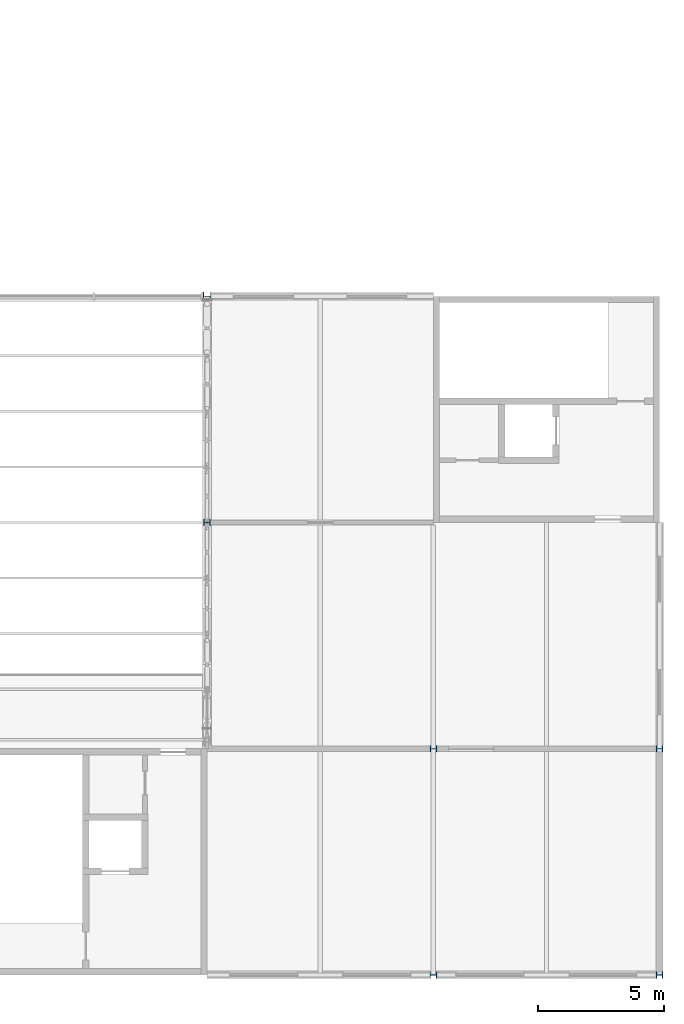
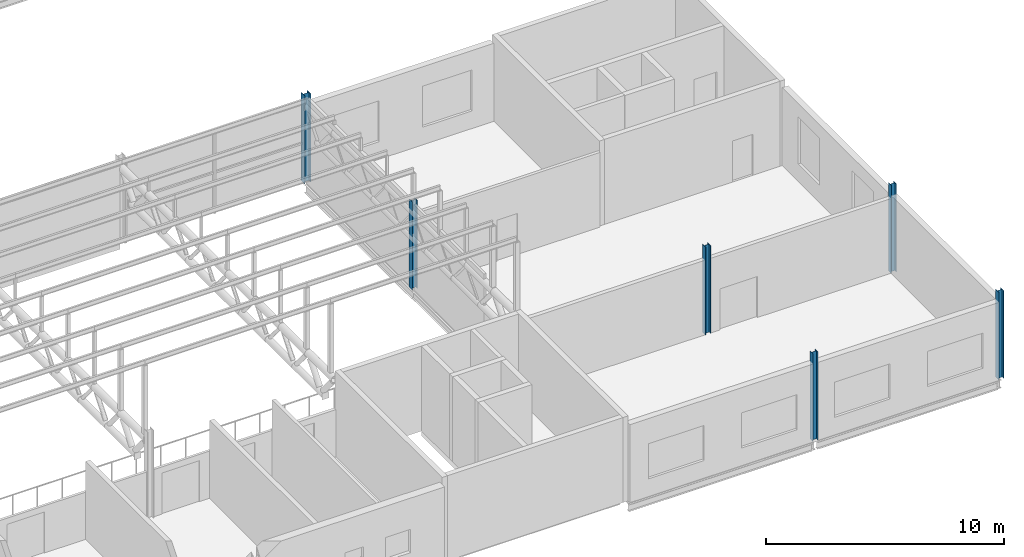
# One storey, part 21 of 138: 6 columns.
"""IFC4 building model written with IfcOpenShell, lengths in metres."""

from ifc_helpers import new_model, si_unit, direction, frame, origin, origin_2d, place, context, subcontext, project, spatial, i_section, extrude, material, material_profile, profile_set, type_object, element, save


model = new_model("IFC4")

# Units and contexts
model_context = context("Model", 3, precision=1e-05, world=origin(), true_north=direction((0.0, 1.0)))
body_context = subcontext(model_context, "Body", "Model", "MODEL_VIEW")
ifc_project = project(units=[si_unit("LENGTHUNIT", "METRE"), si_unit("AREAUNIT", "SQUARE_METRE"), si_unit("VOLUMEUNIT", "CUBIC_METRE"), si_unit("PLANEANGLEUNIT", "RADIAN"), si_unit("MASSUNIT", "GRAM", prefix="KILO")], contexts=[model_context])

# Site, building, storey
site_placement = place(None, origin())
site = spatial("IfcSite", under=ifc_project, at=site_placement, CompositionType="ELEMENT")
building_placement = place(site_placement, origin())
building = spatial("IfcBuilding", under=site, at=building_placement, Name="Corbel Yard City Hall", CompositionType="ELEMENT")
storey_placement = place(building_placement, frame((0.0, 0.0, 10.5)))
storey = spatial("IfcBuildingStorey", under=building, at=storey_placement, Name="L02", CompositionType="ELEMENT", Elevation=10.5)

# Columns
ifc_material = material(Name="Steel Grade 300 (300 MPa yield)", Category="steel")
ifc_material_profile_1 = material_profile(ifc_material, i_section(OverallWidth=0.25390625, OverallDepth=0.25390625, WebThickness=0.008544921875, FlangeThickness=0.01416015625, at=origin_2d()), Name="250UC72.9")
ifc_profile_set_1 = profile_set([ifc_material_profile_1], Name="Steel Grade 300 (300 MPa yield)")
column_type_1 = type_object("IfcColumnType", Name="Column 250UC72.9", PredefinedType="COLUMN", material=ifc_profile_set_1)
for number, where, z_axis, x_axis, name in (
    (1, (171.0, 0.0, 0.0), (0.0, 0.0, 1.0), (0.0, 1.0, 0.0), "Column 250UC72.9 A/20 L02"),
    (2, (180.0, 0.0, 0.0), (0.0, 0.0, 1.0), (0.0, 1.0, 0.0), "Column 250UC72.9 A/21 L02"),
    (3, (180.0, 9.0, 0.0), (0.0, 0.0, 1.0), (0.0, 1.0, 0.0), "Column 250UC72.9 B/21 L02"),
):
    element("IfcColumn", number, at=place(storey_placement, frame(where, z_axis=z_axis, x_axis=x_axis)), inside=storey, type_object=column_type_1, Name=name, PredefinedType="COLUMN", context=body_context, shape_type="SweptSolid", body=[
        extrude(i_section(OverallWidth=0.25390625, OverallDepth=0.25390625, WebThickness=0.008544921875, FlangeThickness=0.01416015625, at=origin_2d()), origin(), (0.0, 0.0, 1.0), 4.5),
    ])
ifc_material_profile_2 = material_profile(ifc_material, i_section(OverallWidth=0.256103515625, OverallDepth=0.260009765625, WebThickness=0.010498046875, FlangeThickness=0.017333984375, at=origin_2d()), Name="250UC89.5")
ifc_profile_set_2 = profile_set([ifc_material_profile_2], Name="Steel Grade 300 (300 MPa yield)")
column_type_2 = type_object("IfcColumnType", Name="Column 250UC89.5", PredefinedType="COLUMN", material=ifc_profile_set_2)
for number, where, z_axis, x_axis, name in (
    (4, (162.0, 18.0, 0.0), (0.0, 0.0, 1.0), (0.0, 1.0, 0.0), "Column 250UC89.5 C/19 L02"),
    (5, (171.0, 9.0, 0.0), (0.0, 0.0, 1.0), (0.0, 1.0, 0.0), "Column 250UC89.5 B/20 L02"),
):
    element("IfcColumn", number, at=place(storey_placement, frame(where, z_axis=z_axis, x_axis=x_axis)), inside=storey, type_object=column_type_2, Name=name, PredefinedType="COLUMN", context=body_context, shape_type="SweptSolid", body=[
        extrude(i_section(OverallWidth=0.256103515625, OverallDepth=0.260009765625, WebThickness=0.010498046875, FlangeThickness=0.017333984375, at=origin_2d()), origin(), (0.0, 0.0, 1.0), 4.5),
    ])
ifc_material_profile_3 = material_profile(ifc_material, i_section(OverallWidth=0.304931640625, OverallDepth=0.30810546875, WebThickness=0.010009765625, FlangeThickness=0.015380859375, at=origin_2d()), Name="310UC96.8")
ifc_profile_set_3 = profile_set([ifc_material_profile_3], Name="Steel Grade 300 (300 MPa yield)")
column_type_3 = type_object("IfcColumnType", Name="Column 310UC96.8", PredefinedType="COLUMN", material=ifc_profile_set_3)
column_placement = place(storey_placement, frame((162.0, 27.0, 0.0), z_axis=(0.0, 0.0, 1.0), x_axis=(0.0, 1.0, 0.0)))
element("IfcColumn", 6, at=column_placement, inside=storey, type_object=column_type_3, Name="Column 310UC96.8 D/19 L02", PredefinedType="COLUMN", context=body_context, shape_type="SweptSolid", body=[
    extrude(i_section(OverallWidth=0.304931640625, OverallDepth=0.30810546875, WebThickness=0.010009765625, FlangeThickness=0.015380859375, at=origin_2d()), origin(), (0.0, 0.0, 1.0), 4.5),
])

save(model, "model.ifc")
